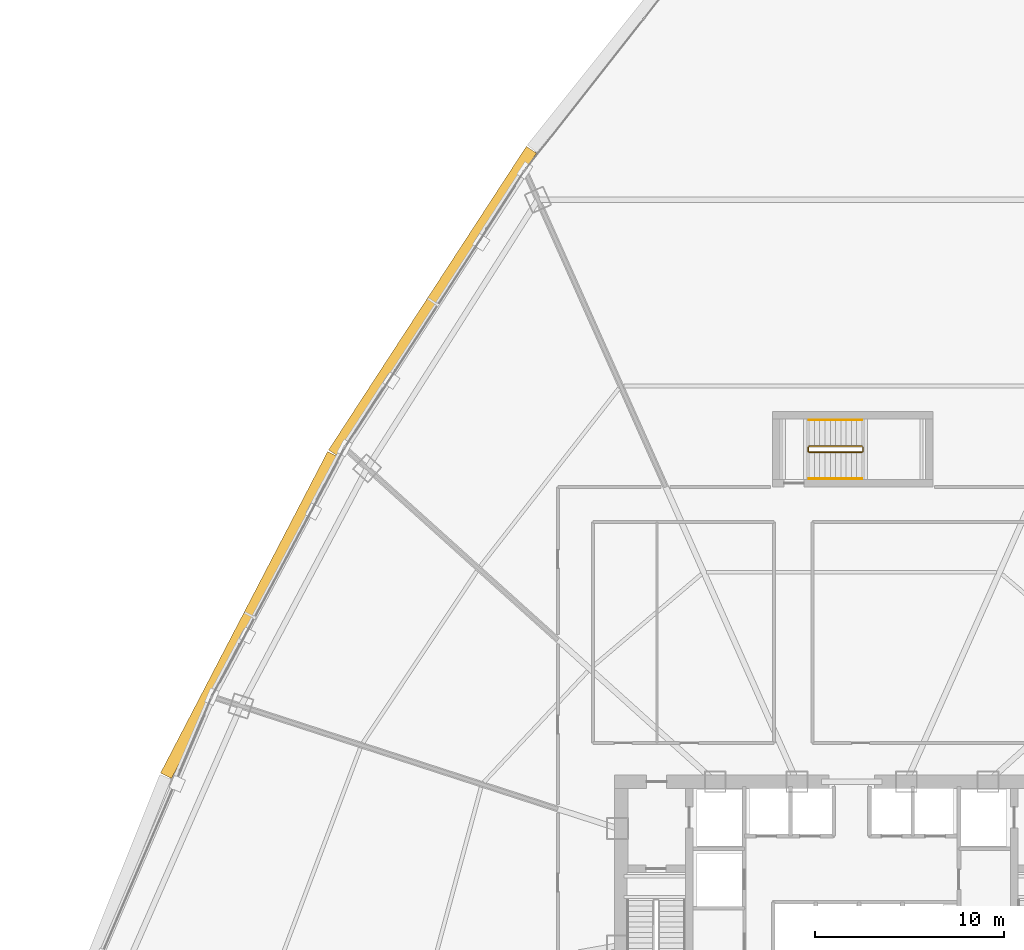
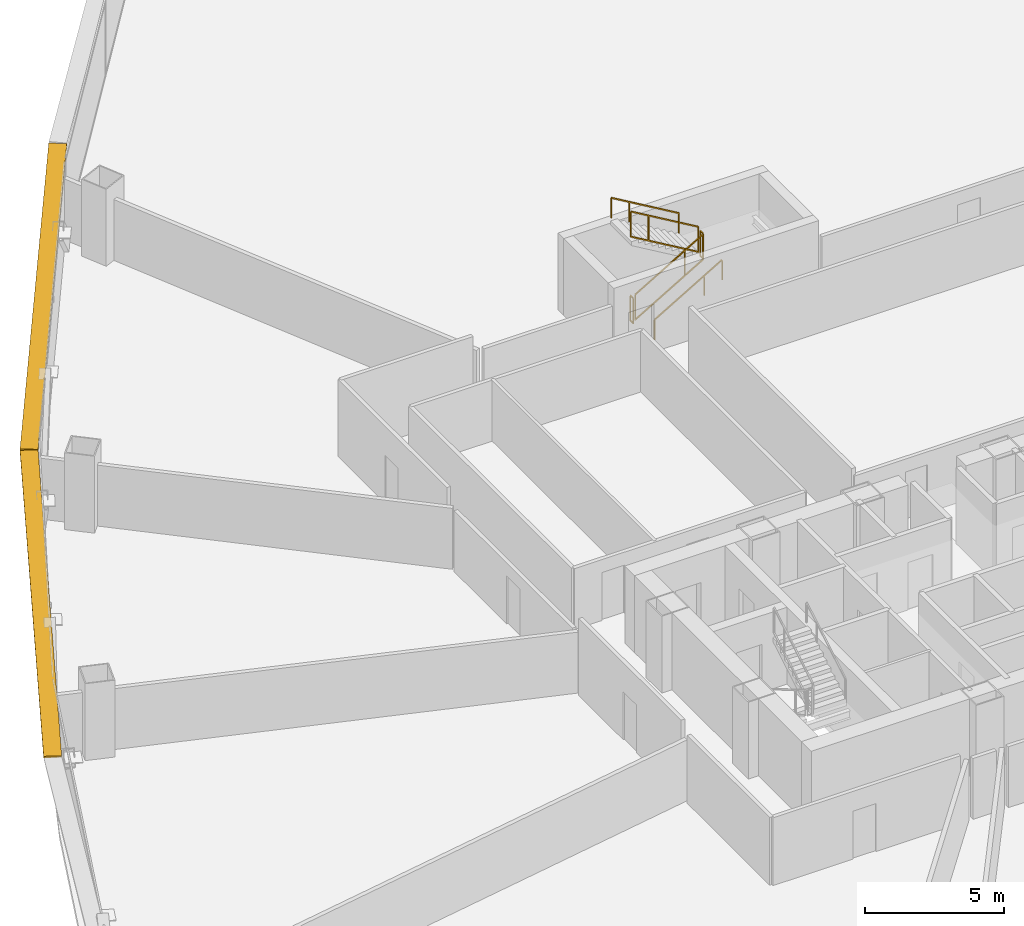
# One storey, part 41 of 42: 6 railings, 2 shading devices.
"""IFC4 building model written with IfcOpenShell, lengths in metres."""

import ifcopenshell
import ifcopenshell.guid

model = None  # the IFC model being written
_history = None  # IfcOwnerHistory: only IFC2X3 demands one
_inside = {}  # id of a spatial element -> (the spatial element, [elements in it])
_under = {}  # id of a project, library or spatial element -> (it, [spatial elements below it])
_declared = {}  # id of a project -> (the project, [libraries it declares])
_typed = {}  # id of a type object -> (the type object, [elements of that type])
_made_of = {}  # id of a material, layer set ... -> (it, [elements and type objects made of it])


def new_model(schema):
    """Start an empty IFC model of exactly this schema.

    Asked for "IFC4X3", IfcOpenShell would pick the latest addendum, in which some entities
    have other attributes; the version numbers below select the first issue.
    IFC2X3 requires an IfcOwnerHistory on every rooted entity: one is made here for all.
    """
    global model, _history
    if schema == "IFC4X3":
        model = ifcopenshell.file(schema_version=(4, 3, 0, 0))
    else:
        model = ifcopenshell.file(schema=schema)
    _inside.clear()
    _under.clear()
    _declared.clear()
    _typed.clear()
    _made_of.clear()
    _history = None
    if model.schema == "IFC2X3":
        org = make("IfcOrganization", Name="unknown")
        user = make(
            "IfcPersonAndOrganization",
            ThePerson=make("IfcPerson", FamilyName="unknown"),
            TheOrganization=org,
        )
        app = make(
            "IfcApplication",
            ApplicationDeveloper=org,
            Version="unknown",
            ApplicationFullName="unknown",
            ApplicationIdentifier="unknown",
        )
        _history = make(
            "IfcOwnerHistory",
            OwningUser=user,
            OwningApplication=app,
            ChangeAction="ADDED",
            CreationDate=0,
        )
    return model


def make(cls, **values):
    """One entity of the class cls with the attributes given. An attribute that is None is left unset."""
    return model.create_entity(
        cls, **{name: value for name, value in values.items() if value is not None}
    )


def rooted(cls, **values):
    """An entity with a GlobalId (a new one), such as an element, a storey or a relation."""
    return make(cls, GlobalId=ifcopenshell.guid.new(), OwnerHistory=_history, **values)


def si_unit(unit_type, name, prefix=None):
    """IfcSIUnit, for example si_unit("LENGTHUNIT", "METRE", prefix="MILLI")."""
    return make("IfcSIUnit", UnitType=unit_type, Prefix=prefix, Name=name)


def assignment(units):
    """IfcUnitAssignment: the units of a project."""
    return None if units is None else make("IfcUnitAssignment", Units=units)


def point(xyz):
    """IfcCartesianPoint."""
    return None if xyz is None else make("IfcCartesianPoint", Coordinates=xyz)


def direction(xyz):
    """IfcDirection."""
    return None if xyz is None else make("IfcDirection", DirectionRatios=xyz)


def frame(location, z_axis=None, x_axis=None):
    """IfcAxis2Placement3D, a coordinate frame: its origin and axes. An axis left out is left unset."""
    return make(
        "IfcAxis2Placement3D",
        Location=point(location),
        Axis=direction(z_axis),
        RefDirection=direction(x_axis),
    )


def frame_2d(location, x_axis=None):
    """IfcAxis2Placement2D, a coordinate frame in the plane: its origin and x axis."""
    return make(
        "IfcAxis2Placement2D", Location=point(location), RefDirection=direction(x_axis)
    )


def origin():
    """The frame at (0, 0, 0) with its axes left unset."""
    return frame((0.0, 0.0, 0.0))


def origin_2d():
    """The frame at (0, 0) in the plane with its x axis left unset."""
    return frame_2d((0.0, 0.0))


def place(relative_to, where):
    """IfcLocalPlacement: puts the frame where relative to a parent placement (None: the world)."""
    return make(
        "IfcLocalPlacement", PlacementRelTo=relative_to, RelativePlacement=where
    )


def context(
    kind, dimensions, precision=None, world=None, true_north=None, identifier=None
):
    """IfcGeometricRepresentationContext, for example the 3D "Model" context."""
    return make(
        "IfcGeometricRepresentationContext",
        ContextIdentifier=identifier,
        ContextType=kind,
        CoordinateSpaceDimension=dimensions,
        Precision=precision,
        WorldCoordinateSystem=world,
        TrueNorth=true_north,
    )


def subcontext(parent, identifier, kind, view, scale=None):
    """IfcGeometricRepresentationSubContext, for example "Body" below "Model"."""
    return make(
        "IfcGeometricRepresentationSubContext",
        ContextIdentifier=identifier,
        ContextType=kind,
        ParentContext=parent,
        TargetScale=scale,
        TargetView=view,
    )


def project(units=None, contexts=None):
    """IfcProject with its units and contexts."""
    return rooted(
        "IfcProject",
        Name="project",
        RepresentationContexts=contexts,
        UnitsInContext=assignment(units),
    )


def spatial(cls, under=None, at=None, **own):
    """A site, building, storey or space (cls), placed at a placement, below another one or the project."""
    s = rooted(cls, ObjectPlacement=at, **own)
    if under is not None:
        _under.setdefault(under.id(), (under, []))[1].append(s)
    return s


def profile(cls, at=None, kind="AREA", **sizes):
    """A parametric profile (cls). Its sizes go by their IFC names, for example OverallWidth=200.0."""
    return make(cls, ProfileType=kind, Position=at, **sizes)


def rectangle(**sizes):
    """IfcRectangleProfileDef."""
    return profile("IfcRectangleProfileDef", **sizes)


def extrude(swept, where, along, depth):
    """IfcExtrudedAreaSolid: the profile swept, set in the frame where, extruded along a direction by depth."""
    return make(
        "IfcExtrudedAreaSolid",
        SweptArea=swept,
        Position=where,
        ExtrudedDirection=direction(along),
        Depth=depth,
    )


def shape(context_of_items, identifier, shape_type, items):
    """IfcShapeRepresentation: the items that make up one representation, for example the "Body"."""
    return make(
        "IfcShapeRepresentation",
        ContextOfItems=context_of_items,
        RepresentationIdentifier=identifier,
        RepresentationType=shape_type,
        Items=items,
    )


def source(mapping_origin, context_of_items, identifier, shape_type, items):
    """IfcRepresentationMap: a shape defined once, which mapped items show again and again."""
    return make(
        "IfcRepresentationMap",
        MappingOrigin=mapping_origin,
        MappedRepresentation=shape(context_of_items, identifier, shape_type, items),
    )


def transform(
    local_origin,
    x_axis=None,
    y_axis=None,
    z_axis=None,
    scale=None,
    scale2=None,
    scale3=None,
    uniform=True,
):
    """IfcCartesianTransformationOperator3D, or its non-uniform kind. x_axis, y_axis, z_axis: its Axis1, 2, 3."""
    if uniform:
        return make(
            "IfcCartesianTransformationOperator3D",
            Axis1=direction(x_axis),
            Axis2=direction(y_axis),
            LocalOrigin=point(local_origin),
            Scale=scale,
            Axis3=direction(z_axis),
        )
    return make(
        "IfcCartesianTransformationOperator3DnonUniform",
        Axis1=direction(x_axis),
        Axis2=direction(y_axis),
        LocalOrigin=point(local_origin),
        Scale=scale,
        Axis3=direction(z_axis),
        Scale2=scale2,
        Scale3=scale3,
    )


def mapped(mapping_source, mapping_target):
    """IfcMappedItem: shows the shape of a source again, moved by a transform."""
    return make(
        "IfcMappedItem", MappingSource=mapping_source, MappingTarget=mapping_target
    )


def material(Name=None, Category=None):
    """IfcMaterial."""
    return make("IfcMaterial", Name=Name, Category=Category)


def layer(
    of_material, thickness, ventilated=None, Name=None, Category=None, Priority=None
):
    """IfcMaterialLayer: one layer of a wall or slab, of a material (None: an air gap)."""
    return make(
        "IfcMaterialLayer",
        Material=of_material,
        LayerThickness=thickness,
        IsVentilated=ventilated,
        Name=Name,
        Category=Category,
        Priority=Priority,
    )


def layer_set(layers, Name=None):
    """IfcMaterialLayerSet."""
    return make("IfcMaterialLayerSet", MaterialLayers=layers, LayerSetName=Name)


def made_of(thing, what):
    """Note that an element or type object is made of a material, layer set ...; save() writes the relation."""
    if what is not None:
        _made_of.setdefault(what.id(), (what, []))[1].append(thing)
    return thing


def type_object(cls, material=None, **own):
    """A type object (cls), such as IfcWallType, which elements share."""
    return made_of(rooted(cls, **own), material)


def element(
    cls,
    number,
    at=None,
    inside=None,
    cuts=None,
    type_object=None,
    material=None,
    context=None,
    identifier="Body",
    shape_type=None,
    held_by="IfcProductDefinitionShape",
    body=None,
    shapes=None,
    **own,
):
    """One element of the class cls, such as IfcWall. Its Tag is "e" and its number.

    at: its placement. inside: the storey or other place that contains it. cuts: it is an
    opening in that element (IfcRelVoidsElement). A single representation is given by context,
    identifier, shape_type and body (its items); several are given by shapes. held_by: the class
    of the entity that holds the representations. save() writes the other relations.
    """
    e = rooted(cls, Tag="e%d" % number, ObjectPlacement=at, **own)
    if body is not None:
        shapes = [shape(context, identifier, shape_type, body)]
    if shapes is not None:
        e.Representation = make(held_by, Representations=shapes)
    if inside is not None:
        _inside.setdefault(inside.id(), (inside, []))[1].append(e)
    if cuts is not None:
        rooted(
            "IfcRelVoidsElement", RelatingBuildingElement=cuts, RelatedOpeningElement=e
        )
    if type_object is not None:
        _typed.setdefault(type_object.id(), (type_object, []))[1].append(e)
    return made_of(e, material)


def aggregate(whole, parts):
    """IfcRelAggregates: a whole, such as a stair, and the parts it consists of."""
    return rooted("IfcRelAggregates", RelatingObject=whole, RelatedObjects=parts)


def save(model, path):
    """Write the relations noted so far, then the file.

    IfcRelAggregates (storeys below a building ...), IfcRelContainedInSpatialStructure (elements
    in a storey), IfcRelDefinesByType, IfcRelAssociatesMaterial and IfcRelDeclares: one each for
    every whole, place, type object, material and project.
    """
    for whole, parts in _under.values():
        aggregate(whole, parts)
    for where, things in _inside.values():
        rooted(
            "IfcRelContainedInSpatialStructure",
            RelatedElements=things,
            RelatingStructure=where,
        )
    for kind, things in _typed.values():
        rooted("IfcRelDefinesByType", RelatedObjects=things, RelatingType=kind)
    for what, things in _made_of.values():
        rooted("IfcRelAssociatesMaterial", RelatedObjects=things, RelatingMaterial=what)
    for by, libraries in _declared.values():
        rooted("IfcRelDeclares", RelatingContext=by, RelatedDefinitions=libraries)
    model.write(path)


model = new_model("IFC4")

# Units and contexts
model_context = context("Model", 3, precision=1e-05, world=origin(), true_north=direction((0.0, 1.0)))
body_context = subcontext(model_context, "Body", "Model", "MODEL_VIEW")
ifc_project = project(units=[si_unit("LENGTHUNIT", "METRE"), si_unit("AREAUNIT", "SQUARE_METRE"), si_unit("VOLUMEUNIT", "CUBIC_METRE"), si_unit("PLANEANGLEUNIT", "RADIAN"), si_unit("MASSUNIT", "GRAM", prefix="KILO"), si_unit("THERMODYNAMICTEMPERATUREUNIT", "KELVIN"), si_unit("POWERUNIT", "WATT")], contexts=[model_context])

# Site, building, storey
site_placement = place(None, origin())
site = spatial("IfcSite", under=ifc_project, at=site_placement, CompositionType="ELEMENT")
building_placement = place(site_placement, origin())
building = spatial("IfcBuilding", under=site, at=building_placement, Name="Yunzhuo Pagoda Commons", CompositionType="ELEMENT")
storey_placement = place(building_placement, frame((0.0, 0.0, 48.550048828125)))
storey = spatial("IfcBuildingStorey", under=building, at=storey_placement, Name="L12", CompositionType="ELEMENT", Elevation=48.550048828125)

# Railings
ifc_material = material(Name="Anodized aluminium 6063-T6", Category="aluminium")
railing_type_1 = type_object("IfcRailingType", Name="GR-ST3 North Well Guardrail 1155", PredefinedType="GUARDRAIL", material=ifc_material)
railing_1_placement = place(storey_placement, frame((45.75, 57.64990234375, 0.1650390625)))
element("IfcRailing", 1, at=railing_1_placement, inside=storey, type_object=railing_type_1, Name="L12 ST3 stair guard 1", PredefinedType="GUARDRAIL", context=body_context, shape_type="SweptSolid", body=[
    extrude(rectangle(XDim=0.048095703125, YDim=0.048095703125, at=origin_2d()), frame((0.0, 0.0, 1.1259765625), z_axis=(0.861555476484, 0.0, 0.507663432739), x_axis=(0.0, 1.0, 0.0)), (0.0, 0.0, 1.0), 3.25),
    extrude(rectangle(XDim=0.048095703125, YDim=0.048095703125, at=origin_2d()), frame((0.0, 0.0, 0.02392578125), z_axis=(0.861555476484, 0.0, 0.507663432739), x_axis=(0.0, 1.0, 0.0)), (0.0, 0.0, 1.0), 3.25),
    extrude(rectangle(XDim=0.0419921875, YDim=0.0419921875, at=origin_2d()), origin(), (0.0, 0.0, 1.0), 1.101806640625),
    extrude(rectangle(XDim=0.0419921875, YDim=0.0419921875, at=origin_2d()), frame((2.067626953125, 0.0, 1.218505859375)), (0.0, 0.0, 1.0), 1.101806640625),
    extrude(rectangle(XDim=0.0419921875, YDim=0.0419921875, at=origin_2d()), frame((2.800048828125, 0.0, 1.64990234375)), (0.0, 0.0, 1.0), 1.101806640625),
])
railing_2_placement = place(storey_placement, frame((48.60009765625, 57.699951171875, 1.81494140625)))
element("IfcRailing", 2, at=railing_2_placement, inside=storey, type_object=railing_type_1, Name="L12 ST3 stair guard 2", PredefinedType="GUARDRAIL", context=body_context, shape_type="SweptSolid", body=[
    extrude(rectangle(XDim=0.048095703125, YDim=0.048095703125, at=origin_2d()), frame((0.0, 0.0, 1.1259765625), z_axis=(0.0, 1.0, 0.0), x_axis=(-1.0, 0.0, 0.0)), (0.0, 0.0, 1.0), 0.199951171875),
    extrude(rectangle(XDim=0.048095703125, YDim=0.048095703125, at=origin_2d()), frame((0.0, 0.0, 0.02392578125), z_axis=(0.0, 1.0, 0.0), x_axis=(-1.0, 0.0, 0.0)), (0.0, 0.0, 1.0), 0.199951171875),
    extrude(rectangle(XDim=0.0419921875, YDim=0.0419921875, at=origin_2d()), origin(), (0.0, 0.0, 1.0), 1.101806640625),
    extrude(rectangle(XDim=0.0419921875, YDim=0.0419921875, at=origin_2d()), frame((0.0, 0.199951171875, 0.0)), (0.0, 0.0, 1.0), 1.101806640625),
])
railing_3_placement = place(storey_placement, frame((48.550048828125, 57.949951171875, 1.97998046875)))
element("IfcRailing", 3, at=railing_3_placement, inside=storey, type_object=railing_type_1, Name="L12 ST3 stair guard 3", PredefinedType="GUARDRAIL", context=body_context, shape_type="SweptSolid", body=[
    extrude(rectangle(XDim=0.048095703125, YDim=0.048095703125, at=origin_2d()), frame((0.0, 0.0, 1.1259765625), z_axis=(-0.861555476484, 0.0, 0.507663432739), x_axis=(0.0, -1.0, 0.0)), (0.0, 0.0, 1.0), 3.25),
    extrude(rectangle(XDim=0.048095703125, YDim=0.048095703125, at=origin_2d()), frame((0.0, 0.0, 0.02392578125), z_axis=(-0.861555476484, 0.0, 0.507663432739), x_axis=(0.0, -1.0, 0.0)), (0.0, 0.0, 1.0), 3.25),
    extrude(rectangle(XDim=0.0419921875, YDim=0.0419921875, at=origin_2d()), origin(), (0.0, 0.0, 1.0), 1.101806640625),
    extrude(rectangle(XDim=0.0419921875, YDim=0.0419921875, at=origin_2d()), frame((-2.067626953125, 0.0, 1.218505859375)), (0.0, 0.0, 1.0), 1.101806640625),
    extrude(rectangle(XDim=0.0419921875, YDim=0.0419921875, at=origin_2d()), frame((-2.800048828125, 0.0, 1.64990234375)), (0.0, 0.0, 1.0), 1.101806640625),
])
railing_4_placement = place(storey_placement, frame((45.699951171875, 57.699951171875, 0.0)))
element("IfcRailing", 4, at=railing_4_placement, inside=storey, type_object=railing_type_1, Name="L12 ST3 stair guard 4", PredefinedType="GUARDRAIL", context=body_context, shape_type="SweptSolid", body=[
    extrude(rectangle(XDim=0.048095703125, YDim=0.048095703125, at=origin_2d()), frame((0.0, 0.0, 1.1259765625), z_axis=(0.0, 1.0, 0.0), x_axis=(-1.0, 0.0, 0.0)), (0.0, 0.0, 1.0), 0.199951171875),
    extrude(rectangle(XDim=0.048095703125, YDim=0.048095703125, at=origin_2d()), frame((0.0, 0.0, 0.02392578125), z_axis=(0.0, 1.0, 0.0), x_axis=(-1.0, 0.0, 0.0)), (0.0, 0.0, 1.0), 0.199951171875),
    extrude(rectangle(XDim=0.0419921875, YDim=0.0419921875, at=origin_2d()), origin(), (0.0, 0.0, 1.0), 1.101806640625),
    extrude(rectangle(XDim=0.0419921875, YDim=0.0419921875, at=origin_2d()), frame((0.0, 0.199951171875, 0.0)), (0.0, 0.0, 1.0), 1.101806640625),
])
railing_type_2 = type_object("IfcRailingType", Name="HR-ST3 North Stair Handrail 900", PredefinedType="HANDRAIL", material=ifc_material)
railing_5_placement = place(storey_placement, frame((45.75, 56.25, 0.1650390625)))
element("IfcRailing", 5, at=railing_5_placement, inside=storey, type_object=railing_type_2, Name="L12 ST3 stair handrail 1", PredefinedType="HANDRAIL", context=body_context, shape_type="SweptSolid", body=[
    extrude(rectangle(XDim=0.048095703125, YDim=0.048095703125, at=origin_2d()), frame((0.0, 0.0, 0.8759765625), z_axis=(0.861555476484, 0.0, 0.507663432739), x_axis=(0.0, 1.0, 0.0)), (0.0, 0.0, 1.0), 3.25),
    extrude(rectangle(XDim=0.0419921875, YDim=0.0419921875, at=origin_2d()), origin(), (0.0, 0.0, 1.0), 0.851806640625),
    extrude(rectangle(XDim=0.0419921875, YDim=0.0419921875, at=origin_2d()), frame((2.067626953125, 0.0, 1.218505859375)), (0.0, 0.0, 1.0), 0.851806640625),
    extrude(rectangle(XDim=0.0419921875, YDim=0.0419921875, at=origin_2d()), frame((2.800048828125, 0.0, 1.64990234375)), (0.0, 0.0, 1.0), 0.851806640625),
])
railing_6_placement = place(storey_placement, frame((48.550048828125, 59.35009765625, 1.97998046875)))
element("IfcRailing", 6, at=railing_6_placement, inside=storey, type_object=railing_type_2, Name="L12 ST3 stair handrail 2", PredefinedType="HANDRAIL", context=body_context, shape_type="SweptSolid", body=[
    extrude(rectangle(XDim=0.048095703125, YDim=0.048095703125, at=origin_2d()), frame((0.0, 0.0, 0.8759765625), z_axis=(-0.861555476484, 0.0, 0.507663432739), x_axis=(0.0, -1.0, 0.0)), (0.0, 0.0, 1.0), 3.25),
    extrude(rectangle(XDim=0.0419921875, YDim=0.0419921875, at=origin_2d()), origin(), (0.0, 0.0, 1.0), 0.851806640625),
    extrude(rectangle(XDim=0.0419921875, YDim=0.0419921875, at=origin_2d()), frame((-2.067626953125, 0.0, 1.218505859375)), (0.0, 0.0, 1.0), 0.851806640625),
    extrude(rectangle(XDim=0.0419921875, YDim=0.0419921875, at=origin_2d()), frame((-2.800048828125, 0.0, 1.64990234375)), (0.0, 0.0, 1.0), 0.851806640625),
])

# Shading devices
ifc_layer = layer(ifc_material, 0.080078125)
ifc_layer_set = layer_set([ifc_layer], Name="Anodized aluminium 6063-T6")
shading_device_type = type_object("IfcShadingDeviceType", Name="SH-SUN1 Pagoda Horizontal Sunshade Eave 650", PredefinedType="USERDEFINED", material=ifc_layer_set)
shared_shape = source(origin(), body_context, "Body", "SweptSolid", [
    extrude(rectangle(XDim=19.1787109375, YDim=0.64990234375, at=origin_2d()), origin(), (0.0, 0.0, 1.0), 0.080078125),
])
for number, where, z_axis, x_axis, name in (
    (7, (25.813232421875, 65.62158203125, 3.289794921875), (0.0, 0.0, 1.0), (-0.545853380833, -0.837880711458, 0.0), "L12 horizontal pagoda sunshade eave F3.2"),
    (8, (16.124267578125, 49.023681640625, 3.289794921875), (0.0, 0.0, 1.0), (-0.461206683033, -0.88729273384, 0.0), "L12 horizontal pagoda sunshade eave F3.3"),
):
    element("IfcShadingDevice", number, at=place(storey_placement, frame(where, z_axis=z_axis, x_axis=x_axis)), inside=storey, type_object=shading_device_type, Name=name, ObjectType="SUNSHADE", PredefinedType="USERDEFINED", context=body_context, shape_type="MappedRepresentation", body=[
        mapped(shared_shape, transform((0.0, 0.0, 0.0), scale=1.0)),
    ])

save(model, "model.ifc")
